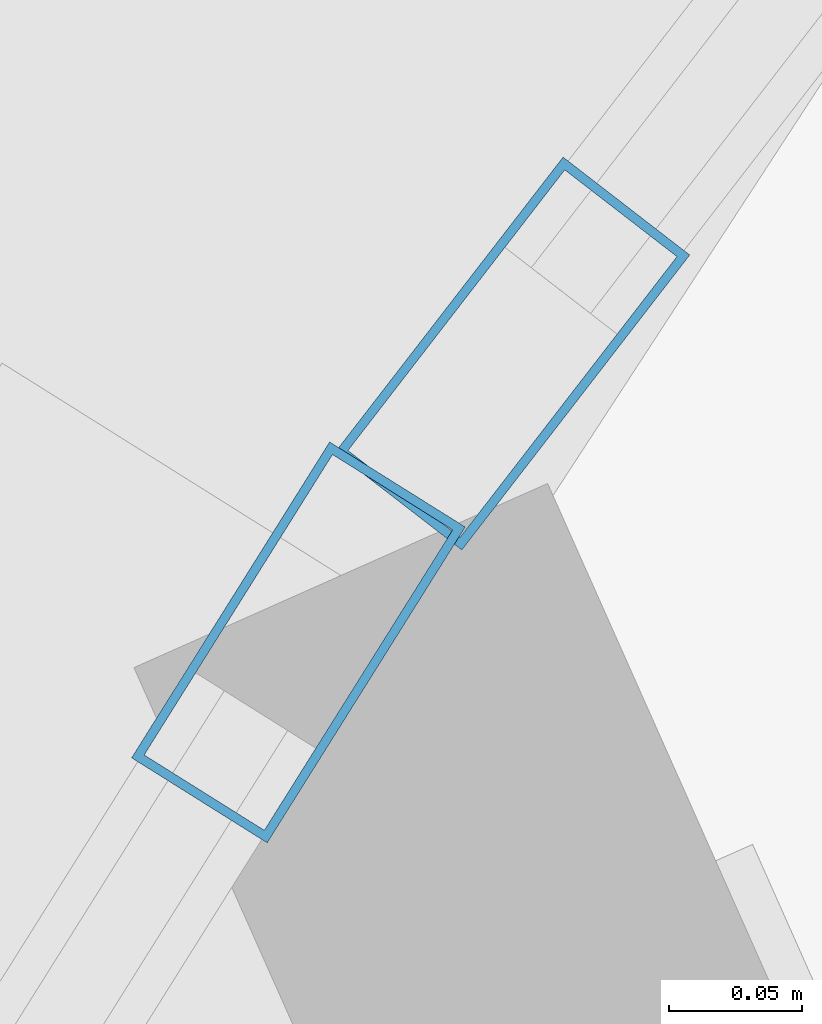
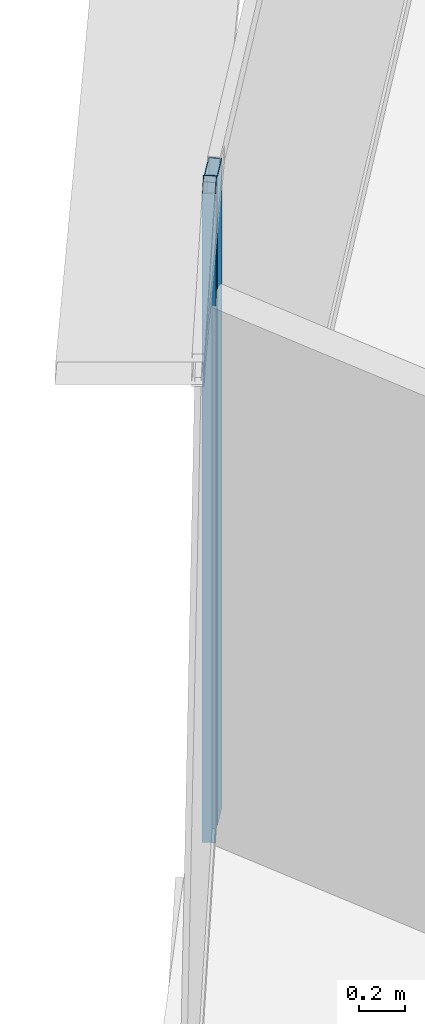
# One storey, part 16 of 29: 2 members, 2 elements without a shape of their own.
"""IFC4 building model written with IfcOpenShell, lengths in metres."""

from ifc_helpers import new_model, si_unit, direction, frame, origin, origin_2d, place, context, subcontext, project, spatial, hollow_rectangle, extrude, source, transform, mapped, material, layer, layer_set, material_profile, profile_set, type_object, element, aggregate, save


model = new_model("IFC4")

# Units and contexts
model_context = context("Model", 3, precision=1e-05, world=origin(), true_north=direction((0.0, 1.0)))
body_context = subcontext(model_context, "Body", "Model", "MODEL_VIEW")
ifc_project = project(units=[si_unit("LENGTHUNIT", "METRE"), si_unit("AREAUNIT", "SQUARE_METRE"), si_unit("VOLUMEUNIT", "CUBIC_METRE"), si_unit("PLANEANGLEUNIT", "RADIAN"), si_unit("MASSUNIT", "GRAM", prefix="KILO"), si_unit("THERMODYNAMICTEMPERATUREUNIT", "KELVIN"), si_unit("POWERUNIT", "WATT")], contexts=[model_context])

# Site, building, storey
site_placement = place(None, origin())
site = spatial("IfcSite", under=ifc_project, at=site_placement, CompositionType="ELEMENT")
building_placement = place(site_placement, origin())
building = spatial("IfcBuilding", under=site, at=building_placement, Name="Yunzhuo Pagoda Commons", CompositionType="ELEMENT")
storey_placement = place(building_placement, frame((0.0, 0.0, 363.010009765625)))
storey = spatial("IfcBuildingStorey", under=building, at=storey_placement, Name="L91", CompositionType="ELEMENT", Elevation=363.010009765625)

# Curtain wall, member
ifc_material = material(Name="Anodized aluminium 6063-T6", Category="aluminium")
ifc_layer = layer(ifc_material, 0.139892578125)
ifc_layer_set = layer_set([ifc_layer], Name="Anodized aluminium 6063-T6")
curtain_wall_type = type_object("IfcCurtainWallType", Name="CW-HI High-Zone Ribbon Curtain Wall", PredefinedType="NOTDEFINED", material=ifc_layer_set)
curtain_wall_1_placement = place(storey_placement, origin())
curtain_wall_1 = element("IfcCurtainWall", 1, at=curtain_wall_1_placement, inside=storey, type_object=curtain_wall_type, Name="L91 curtain wall CW-L91-F3B2", PredefinedType="NOTDEFINED")
ifc_material_profile = material_profile(ifc_material, hollow_rectangle(XDim=0.06005859375, YDim=0.139892578125, WallThickness=0.00341796875, at=origin_2d()), Name="Anodized aluminium 6063-T6")
ifc_profile_set = profile_set([ifc_material_profile], Name="Anodized aluminium 6063-T6")
member_type = type_object("IfcMemberType", Name="CW-HI-M Mullion RHS 140x60x3.5", PredefinedType="MULLION", material=ifc_profile_set)
shared_shape = source(origin(), body_context, "Body", "SweptSolid", [
    extrude(hollow_rectangle(XDim=0.06005859375, YDim=0.139892578125, WallThickness=0.00341796875, at=origin_2d()), origin(), (0.0, 0.0, 1.0), 3.47021484375),
])
member_1_placement = place(storey_placement, frame((36.735107421875, 58.9404296875, 0.0), z_axis=(0.0, 0.0, 1.0), x_axis=(0.847272854146, -0.531157896135, 0.0)))
member_1 = element("IfcMember", 2, at=member_1_placement, type_object=member_type, Name="CW mullion 1", PredefinedType="MULLION", context=body_context, shape_type="MappedRepresentation", body=[
    mapped(shared_shape, transform((0.0, 0.0, 0.0), scale=1.0)),
])
aggregate(curtain_wall_1, [member_1])

curtain_wall_2_placement = place(storey_placement, origin())
curtain_wall_2 = element("IfcCurtainWall", 3, at=curtain_wall_2_placement, inside=storey, type_object=curtain_wall_type, Name="L91 curtain wall CW-L91-F3B1", PredefinedType="NOTDEFINED")
member_2_placement = place(storey_placement, frame((36.8154296875, 59.048828125, 0.0), z_axis=(0.0, 0.0, 1.0), x_axis=(0.79134909847, -0.61136454293, 0.0)))
member_2 = element("IfcMember", 4, at=member_2_placement, type_object=member_type, Name="CW mullion 2", PredefinedType="MULLION", context=body_context, shape_type="MappedRepresentation", body=[
    mapped(shared_shape, transform((0.0, 0.0, 0.0), scale=1.0)),
])
aggregate(curtain_wall_2, [member_2])

save(model, "model.ifc")
